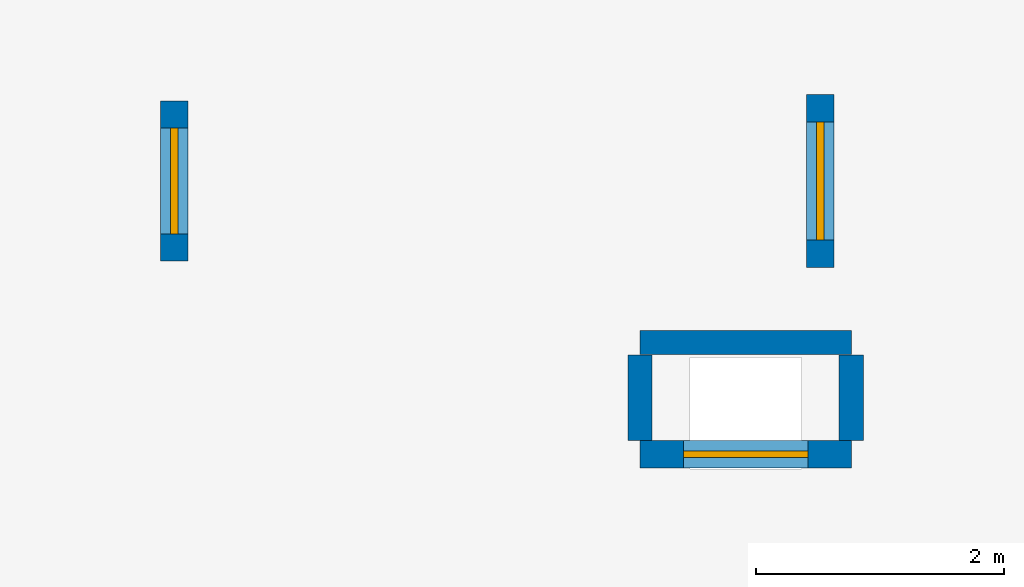
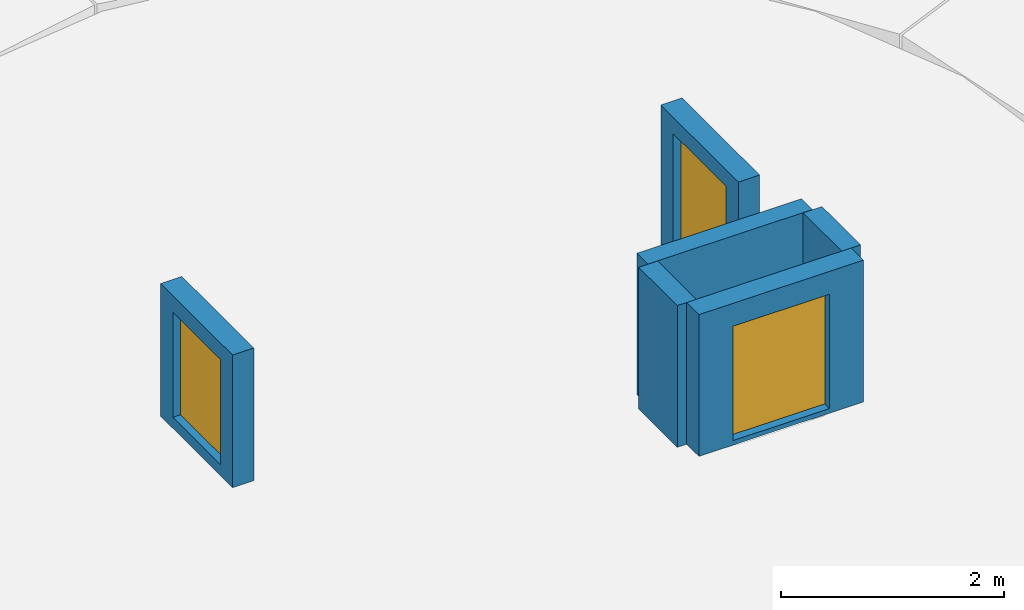
# One storey, part 21 of 30: 6 walls, 2 windows, 1 door, 3 openings.
"""IFC4 building model written with IfcOpenShell, lengths in metres."""

from ifc_helpers import new_model, si_unit, direction, frame, frame_2d, origin, place, context, subcontext, project, spatial, rectangle, extrude, material, layer, layer_set, type_object, element, fill, save


model = new_model("IFC4")

# Units and contexts
model_context = context("Model", 3, precision=1e-05, world=origin(), true_north=direction((0.0, 1.0)))
body_context = subcontext(model_context, "Body", "Model", "MODEL_VIEW")
ifc_project = project(units=[si_unit("LENGTHUNIT", "METRE"), si_unit("AREAUNIT", "SQUARE_METRE"), si_unit("VOLUMEUNIT", "CUBIC_METRE"), si_unit("PLANEANGLEUNIT", "RADIAN"), si_unit("MASSUNIT", "GRAM", prefix="KILO")], contexts=[model_context])

# Site, building, storey
site_placement = place(None, origin())
site = spatial("IfcSite", under=ifc_project, at=site_placement, CompositionType="ELEMENT")
building_placement = place(site_placement, origin())
building = spatial("IfcBuilding", under=site, at=building_placement, Name="Aldenvaro Health Centre", CompositionType="ELEMENT")
storey_placement = place(building_placement, frame((0.0, 0.0, 17.14990234375)))
storey = spatial("IfcBuildingStorey", under=building, at=storey_placement, Name="L04", CompositionType="ELEMENT", Elevation=17.14990234375)

# Walls
ifc_material_1 = material(Name="Concrete f'c 35 MPa", Category="concrete")
ifc_layer_1 = layer(ifc_material_1, 0.195068359375, Name="Concrete f'c 35 MPa", Category="concrete")
ifc_layer_set_1 = layer_set([ifc_layer_1], Name="Concrete f'c 35 MPa")
wall_type_1 = type_object("IfcWallType", Name="WL-PAR-195", PredefinedType="PARAPET", material=ifc_layer_set_1)
wall_1_placement = place(storey_placement, frame((155.64990234375, 98.199951171875, 0.815185546875), z_axis=(0.0, 0.0, 1.0), x_axis=(1.0, 0.0, 0.0)))
element("IfcWall", 1, at=wall_1_placement, inside=storey, type_object=wall_type_1, Name="D2 Roof Access Curb Wall N-5", PredefinedType="PARAPET", context=body_context, shape_type="SweptSolid", body=[
    extrude(rectangle(XDim=1.7001953125, YDim=0.195068359375, at=frame_2d((0.85009765625, 0.0))), origin(), (0.0, 0.0, 1.0), 1.5498046875),
])
for number, where, z_axis, x_axis, name in (
    (2, (155.64990234375, 97.409912109375, 0.815185546875), (0.0, 0.0, 1.0), (0.0, 1.0, 0.0), "D2 Roof Access Curb Wall W-5"),
    (3, (157.35009765625, 98.10009765625, 0.815185546875), (0.0, 0.0, 1.0), (0.0, -1.0, 0.0), "D2 Roof Access Curb Wall E-5"),
):
    element("IfcWall", number, at=place(storey_placement, frame(where, z_axis=z_axis, x_axis=x_axis)), inside=storey, type_object=wall_type_1, Name=name, PredefinedType="PARAPET", context=body_context, shape_type="SweptSolid", body=[
        extrude(rectangle(XDim=0.690185546875, YDim=0.195068359375, at=frame_2d((0.34521484375, 0.0))), origin(), (0.0, 0.0, 1.0), 1.5498046875),
    ])

# Wall, opening, window
ifc_layer_2 = layer(ifc_material_1, 0.219970703125, Name="Concrete f'c 35 MPa", Category="concrete")
ifc_layer_set_2 = layer_set([ifc_layer_2], Name="Concrete f'c 35 MPa")
wall_type_2 = type_object("IfcWallType", Name="WL-PAR-220", PredefinedType="PARAPET", material=ifc_layer_set_2)
wall_2_placement = place(storey_placement, frame((151.89990234375, 98.85498046875, 0.815185546875), z_axis=(0.0, 0.0, 1.0), x_axis=(0.0, 1.0, 0.0)))
wall_2 = element("IfcWall", 4, at=wall_2_placement, inside=storey, type_object=wall_type_2, Name="D2 Clinical Clerestory Skylight Curb 1", PredefinedType="PARAPET", context=body_context, shape_type="SweptSolid", body=[
    extrude(rectangle(XDim=1.2900390625, YDim=0.219970703125, at=frame_2d((0.64501953125, 0.0))), origin(), (0.0, 0.0, 1.0), 1.449951171875),
])
opening_1_placement = place(wall_2_placement, frame((0.219970703125, 0.0, 0.1201171875)))
opening_1 = element("IfcOpeningElement", 5, at=opening_1_placement, cuts=wall_2, Name="Opening SK-01", PredefinedType="OPENING", context=body_context, shape_type="SweptSolid", body=[
    extrude(rectangle(XDim=0.85009765625, YDim=1.14990234375, at=frame_2d((0.425048828125, 0.574951171875))), frame((0.0, 0.1201171875, 0.0), z_axis=(0.0, -1.0, 0.0), x_axis=(1.0, 0.0, 0.0)), (0.0, 0.0, 1.0), 0.239990234375),
])
ifc_material_2 = material(Name="Laminated Solar Control Skylight Glass", Category="glass")
window_type_1 = type_object("IfcWindowType", Name="WN-SKY-01", PartitioningType="SINGLE_PANEL", PredefinedType="SKYLIGHT", material=ifc_material_2)
window_1_placement = place(opening_1_placement, origin())
window_1 = element("IfcWindow", 6, at=window_1_placement, inside=storey, type_object=window_type_1, Name="D2 Clinical Clerestory Skylight 1", OverallHeight=1.14990234375, OverallWidth=0.85009765625, PartitioningType="SINGLE_PANEL", PredefinedType="SKYLIGHT", context=body_context, shape_type="SweptSolid", body=[
    extrude(rectangle(XDim=0.85009765625, YDim=1.14990234375, at=frame_2d((0.425048828125, 0.574951171875))), frame((0.0, 0.030029296875, 0.0), z_axis=(0.0, -1.0, 0.0), x_axis=(1.0, 0.0, 0.0)), (0.0, 0.0, 1.0), 0.06005859375),
])
fill(opening_1, window_1)

wall_3_placement = place(storey_placement, frame((157.10009765625, 100.195068359375, 0.815185546875), z_axis=(0.0, 0.0, 1.0), x_axis=(0.0, -1.0, 0.0)))
wall_3 = element("IfcWall", 7, at=wall_3_placement, inside=storey, type_object=wall_type_2, Name="D2 Clinical Clerestory Skylight Curb 2", PredefinedType="PARAPET", context=body_context, shape_type="SweptSolid", body=[
    extrude(rectangle(XDim=1.39013671875, YDim=0.219970703125, at=frame_2d((0.695068359375, 0.0))), origin(), (0.0, 0.0, 1.0), 1.5498046875),
])
opening_2_placement = place(wall_3_placement, frame((0.219970703125, 0.0, 0.1201171875)))
opening_2 = element("IfcOpeningElement", 8, at=opening_2_placement, cuts=wall_3, Name="Opening SK-02", PredefinedType="OPENING", context=body_context, shape_type="SweptSolid", body=[
    extrude(rectangle(XDim=0.949951171875, YDim=1.25, at=frame_2d((0.47509765625, 0.625))), frame((0.0, 0.1201171875, 0.0), z_axis=(0.0, -1.0, 0.0), x_axis=(1.0, 0.0, 0.0)), (0.0, 0.0, 1.0), 0.239990234375),
])
window_type_2 = type_object("IfcWindowType", Name="WN-SKY-02", PartitioningType="SINGLE_PANEL", PredefinedType="SKYLIGHT", material=ifc_material_2)
window_2_placement = place(opening_2_placement, origin())
window_2 = element("IfcWindow", 9, at=window_2_placement, inside=storey, type_object=window_type_2, Name="D2 Clinical Clerestory Skylight 2", OverallHeight=1.25, OverallWidth=0.949951171875, PartitioningType="SINGLE_PANEL", PredefinedType="SKYLIGHT", context=body_context, shape_type="SweptSolid", body=[
    extrude(rectangle(XDim=0.949951171875, YDim=1.25, at=frame_2d((0.47509765625, 0.625))), frame((0.0, 0.030029296875, 0.0), z_axis=(0.0, -1.0, 0.0), x_axis=(1.0, 0.0, 0.0)), (0.0, 0.0, 1.0), 0.06005859375),
])
fill(opening_2, window_2)

# Wall, opening, door
wall_4_placement = place(storey_placement, frame((157.35009765625, 97.300048828125, 0.815185546875), z_axis=(0.0, 0.0, 1.0), x_axis=(-1.0, 0.0, 0.0)))
wall_4 = element("IfcWall", 10, at=wall_4_placement, inside=storey, type_object=wall_type_2, Name="D2 Roof Access Curb Wall S-5", PredefinedType="PARAPET", context=body_context, shape_type="SweptSolid", body=[
    extrude(rectangle(XDim=1.7001953125, YDim=0.219970703125, at=frame_2d((0.85009765625, 0.0))), origin(), (0.0, 0.0, 1.0), 1.5498046875),
])
opening_3_placement = place(wall_4_placement, frame((0.35009765625, 0.0, 0.050048828125)))
opening_3 = element("IfcOpeningElement", 11, at=opening_3_placement, cuts=wall_4, Name="Opening HT-01", PredefinedType="OPENING", context=body_context, shape_type="SweptSolid", body=[
    extrude(rectangle(XDim=1.0, YDim=1.25, at=frame_2d((0.5, 0.625))), frame((0.0, 0.1201171875, 0.0), z_axis=(0.0, -1.0, 0.0), x_axis=(1.0, 0.0, 0.0)), (0.0, 0.0, 1.0), 0.239990234375),
])
ifc_material_3 = material(Name="Insulated Powder-Coated Aluminium", Category="aluminium")
door_type = type_object("IfcDoorType", Name="DR-TRAP-01", OperationType="NOTDEFINED", PredefinedType="TRAPDOOR", material=ifc_material_3)
door_placement = place(opening_3_placement, origin())
door = element("IfcDoor", 12, at=door_placement, inside=storey, type_object=door_type, Name="D2 Roof Maintenance Access Hatch 5", OperationType="SINGLE_SWING_LEFT", OverallHeight=1.25, OverallWidth=1.0, PredefinedType="TRAPDOOR", context=body_context, shape_type="SweptSolid", body=[
    extrude(rectangle(XDim=1.0, YDim=1.25, at=frame_2d((0.5, 0.625))), frame((0.0, 0.02490234375, 0.0), z_axis=(0.0, -1.0, 0.0), x_axis=(1.0, 0.0, 0.0)), (0.0, 0.0, 1.0), 0.050048828125),
])
fill(opening_3, door)

save(model, "model.ifc")
